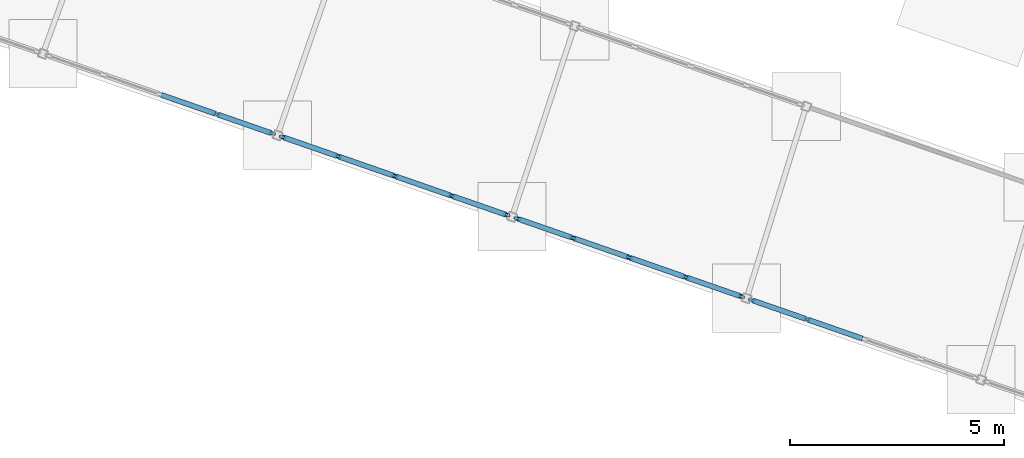
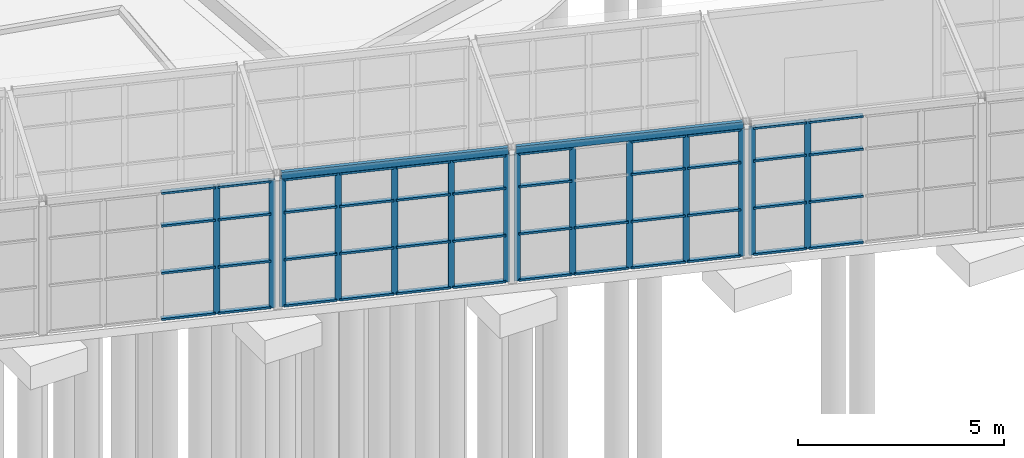
# One storey, part 51 of 226: 60 members, 2 beams, 4 elements without a shape of their own.
"""IFC4 building model written with IfcOpenShell, lengths in metres."""

from ifc_helpers import new_model, si_unit, direction, frame, origin, origin_2d, place, context, subcontext, project, spatial, rectangle, hollow_rectangle, extrude, material, material_profile, profile_set, type_object, element, aggregate, save


model = new_model("IFC4")

# Units and contexts
model_context = context("Model", 3, precision=1e-05, world=origin(), true_north=direction((0.0, 1.0)))
body_context = subcontext(model_context, "Body", "Model", "MODEL_VIEW")
ifc_project = project(units=[si_unit("LENGTHUNIT", "METRE"), si_unit("AREAUNIT", "SQUARE_METRE"), si_unit("VOLUMEUNIT", "CUBIC_METRE"), si_unit("PLANEANGLEUNIT", "RADIAN"), si_unit("MASSUNIT", "GRAM", prefix="KILO")], contexts=[model_context])

# Site, building, storey
site_placement = place(None, origin())
site = spatial("IfcSite", under=ifc_project, at=site_placement, CompositionType="ELEMENT")
building_placement = place(site_placement, origin())
building = spatial("IfcBuilding", under=site, at=building_placement, Name="Ceibo Conservatory and Research Tower", CompositionType="ELEMENT")
storey_placement = place(building_placement, origin())
storey = spatial("IfcBuildingStorey", under=building, at=storey_placement, Name="L00", CompositionType="ELEMENT", Elevation=0.0)

# Curtain wall, members
ifc_material_1 = material(Name="Aluminium and glass", Category="aluminium")
curtain_wall_type = type_object("IfcCurtainWallType", Name="Gallery curtain wall", PredefinedType="NOTDEFINED", material=ifc_material_1)
curtain_wall_1_placement = place(storey_placement, origin())
curtain_wall_1 = element("IfcCurtainWall", 1, at=curtain_wall_1_placement, inside=storey, type_object=curtain_wall_type, Name="Gallery curtain wall AUD-VC-CWS05", PredefinedType="NOTDEFINED")
ifc_material_2 = material(Name="Aluminium", Category="aluminium")
ifc_material_profile_1 = material_profile(ifc_material_2, rectangle(XDim=0.06005859375, YDim=0.159912109375, at=origin_2d()), Name="AL 60x160")
ifc_profile_set_1 = profile_set([ifc_material_profile_1], Name="Aluminium")
member_type_1 = type_object("IfcMemberType", Name="Gallery mullion 60x160", PredefinedType="MULLION", material=ifc_profile_set_1)
member_1_placement = place(storey_placement, frame((90.76806640625, 56.63623046875, 0.0), z_axis=(0.0, 0.0, 1.0), x_axis=(0.328283515513, 0.944579236191, 0.0)))
member_1 = element("IfcMember", 2, at=member_1_placement, type_object=member_type_1, Name="AUD-VC-CWS05 mullion 4", PredefinedType="MULLION", context=body_context, shape_type="SweptSolid", body=[
    extrude(rectangle(XDim=0.06005859375, YDim=0.159912109375, at=origin_2d()), origin(), (0.0, 0.0, 1.0), 3.800048828125),
])
member_2_placement = place(storey_placement, frame((92.064697265625, 56.185791015625, 0.0), z_axis=(0.0, 0.0, 1.0), x_axis=(0.328283515513, 0.944579236191, 0.0)))
member_2 = element("IfcMember", 3, at=member_2_placement, type_object=member_type_1, Name="AUD-VC-CWS05 mullion 5", PredefinedType="MULLION", context=body_context, shape_type="SweptSolid", body=[
    extrude(rectangle(XDim=0.06005859375, YDim=0.159912109375, at=origin_2d()), origin(), (0.0, 0.0, 1.0), 3.800048828125),
])

curtain_wall_2_placement = place(storey_placement, origin())
curtain_wall_2 = element("IfcCurtainWall", 4, at=curtain_wall_2_placement, inside=storey, type_object=curtain_wall_type, Name="Gallery curtain wall AUD-VC-CWS06", PredefinedType="NOTDEFINED")
member_3_placement = place(storey_placement, frame((92.310302734375, 56.100341796875, 0.0), z_axis=(0.0, 0.0, 1.0), x_axis=(0.328283515513, 0.944579236191, 0.0)))
member_3 = element("IfcMember", 5, at=member_3_placement, type_object=member_type_1, Name="AUD-VC-CWS06 mullion 1", PredefinedType="MULLION", context=body_context, shape_type="SweptSolid", body=[
    extrude(rectangle(XDim=0.06005859375, YDim=0.159912109375, at=origin_2d()), origin(), (0.0, 0.0, 1.0), 3.800048828125),
])
member_4_placement = place(storey_placement, frame((93.606689453125, 55.649658203125, 0.0), z_axis=(0.0, 0.0, 1.0), x_axis=(0.328283515513, 0.944579236191, 0.0)))
member_4 = element("IfcMember", 6, at=member_4_placement, type_object=member_type_1, Name="AUD-VC-CWS06 mullion 2", PredefinedType="MULLION", context=body_context, shape_type="SweptSolid", body=[
    extrude(rectangle(XDim=0.06005859375, YDim=0.159912109375, at=origin_2d()), origin(), (0.0, 0.0, 1.0), 3.800048828125),
])
member_5_placement = place(storey_placement, frame((94.931640625, 55.189208984375, 0.0), z_axis=(0.0, 0.0, 1.0), x_axis=(0.328283515513, 0.944579236191, 0.0)))
member_5 = element("IfcMember", 7, at=member_5_placement, type_object=member_type_1, Name="AUD-VC-CWS06 mullion 3", PredefinedType="MULLION", context=body_context, shape_type="SweptSolid", body=[
    extrude(rectangle(XDim=0.06005859375, YDim=0.159912109375, at=origin_2d()), origin(), (0.0, 0.0, 1.0), 3.800048828125),
])
member_6_placement = place(storey_placement, frame((96.25634765625, 54.728759765625, 0.0), z_axis=(0.0, 0.0, 1.0), x_axis=(0.328283515513, 0.944579236191, 0.0)))
member_6 = element("IfcMember", 8, at=member_6_placement, type_object=member_type_1, Name="AUD-VC-CWS06 mullion 4", PredefinedType="MULLION", context=body_context, shape_type="SweptSolid", body=[
    extrude(rectangle(XDim=0.06005859375, YDim=0.159912109375, at=origin_2d()), origin(), (0.0, 0.0, 1.0), 3.800048828125),
])
member_7_placement = place(storey_placement, frame((97.552978515625, 54.2783203125, 0.0), z_axis=(0.0, 0.0, 1.0), x_axis=(0.328283515513, 0.944579236191, 0.0)))
member_7 = element("IfcMember", 9, at=member_7_placement, type_object=member_type_1, Name="AUD-VC-CWS06 mullion 5", PredefinedType="MULLION", context=body_context, shape_type="SweptSolid", body=[
    extrude(rectangle(XDim=0.06005859375, YDim=0.159912109375, at=origin_2d()), origin(), (0.0, 0.0, 1.0), 3.800048828125),
])

curtain_wall_3_placement = place(storey_placement, origin())
curtain_wall_3 = element("IfcCurtainWall", 10, at=curtain_wall_3_placement, inside=storey, type_object=curtain_wall_type, Name="Gallery curtain wall AUD-VC-CWS07", PredefinedType="NOTDEFINED")
member_8_placement = place(storey_placement, frame((97.798583984375, 54.19287109375, 0.0), z_axis=(0.0, 0.0, 1.0), x_axis=(0.328283515513, 0.944579236191, 0.0)))
member_8 = element("IfcMember", 11, at=member_8_placement, type_object=member_type_1, Name="AUD-VC-CWS07 mullion 1", PredefinedType="MULLION", context=body_context, shape_type="SweptSolid", body=[
    extrude(rectangle(XDim=0.06005859375, YDim=0.159912109375, at=origin_2d()), origin(), (0.0, 0.0, 1.0), 3.800048828125),
])
member_9_placement = place(storey_placement, frame((99.094970703125, 53.742431640625, 0.0), z_axis=(0.0, 0.0, 1.0), x_axis=(0.328283515513, 0.944579236191, 0.0)))
member_9 = element("IfcMember", 12, at=member_9_placement, type_object=member_type_1, Name="AUD-VC-CWS07 mullion 2", PredefinedType="MULLION", context=body_context, shape_type="SweptSolid", body=[
    extrude(rectangle(XDim=0.06005859375, YDim=0.159912109375, at=origin_2d()), origin(), (0.0, 0.0, 1.0), 3.800048828125),
])
member_10_placement = place(storey_placement, frame((100.419921875, 53.281982421875, 0.0), z_axis=(0.0, 0.0, 1.0), x_axis=(0.328283515513, 0.944579236191, 0.0)))
member_10 = element("IfcMember", 13, at=member_10_placement, type_object=member_type_1, Name="AUD-VC-CWS07 mullion 3", PredefinedType="MULLION", context=body_context, shape_type="SweptSolid", body=[
    extrude(rectangle(XDim=0.06005859375, YDim=0.159912109375, at=origin_2d()), origin(), (0.0, 0.0, 1.0), 3.800048828125),
])
member_11_placement = place(storey_placement, frame((101.74462890625, 52.821533203125, 0.0), z_axis=(0.0, 0.0, 1.0), x_axis=(0.328283515513, 0.944579236191, 0.0)))
member_11 = element("IfcMember", 14, at=member_11_placement, type_object=member_type_1, Name="AUD-VC-CWS07 mullion 4", PredefinedType="MULLION", context=body_context, shape_type="SweptSolid", body=[
    extrude(rectangle(XDim=0.06005859375, YDim=0.159912109375, at=origin_2d()), origin(), (0.0, 0.0, 1.0), 3.800048828125),
])
member_12_placement = place(storey_placement, frame((103.041259765625, 52.370849609375, 0.0), z_axis=(0.0, 0.0, 1.0), x_axis=(0.328283515513, 0.944579236191, 0.0)))
member_12 = element("IfcMember", 15, at=member_12_placement, type_object=member_type_1, Name="AUD-VC-CWS07 mullion 5", PredefinedType="MULLION", context=body_context, shape_type="SweptSolid", body=[
    extrude(rectangle(XDim=0.06005859375, YDim=0.159912109375, at=origin_2d()), origin(), (0.0, 0.0, 1.0), 3.800048828125),
])

curtain_wall_4_placement = place(storey_placement, origin())
curtain_wall_4 = element("IfcCurtainWall", 16, at=curtain_wall_4_placement, inside=storey, type_object=curtain_wall_type, Name="Gallery curtain wall AUD-VC-CWS08", PredefinedType="NOTDEFINED")
member_13_placement = place(storey_placement, frame((103.286865234375, 52.285400390625, 0.0), z_axis=(0.0, 0.0, 1.0), x_axis=(0.328283515513, 0.944579236191, 0.0)))
member_13 = element("IfcMember", 17, at=member_13_placement, type_object=member_type_1, Name="AUD-VC-CWS08 mullion 1", PredefinedType="MULLION", context=body_context, shape_type="SweptSolid", body=[
    extrude(rectangle(XDim=0.06005859375, YDim=0.159912109375, at=origin_2d()), origin(), (0.0, 0.0, 1.0), 3.800048828125),
])
member_14_placement = place(storey_placement, frame((104.583251953125, 51.8349609375, 0.0), z_axis=(0.0, 0.0, 1.0), x_axis=(0.328283515513, 0.944579236191, 0.0)))
member_14 = element("IfcMember", 18, at=member_14_placement, type_object=member_type_1, Name="AUD-VC-CWS08 mullion 2", PredefinedType="MULLION", context=body_context, shape_type="SweptSolid", body=[
    extrude(rectangle(XDim=0.06005859375, YDim=0.159912109375, at=origin_2d()), origin(), (0.0, 0.0, 1.0), 3.800048828125),
])

# Member
ifc_material_profile_2 = material_profile(ifc_material_2, rectangle(XDim=0.1201171875, YDim=0.06005859375, at=origin_2d()), Name="AL 60x120")
ifc_profile_set_2 = profile_set([ifc_material_profile_2], Name="Aluminium")
member_type_2 = type_object("IfcMemberType", Name="Gallery transom 60x120", PredefinedType="USERDEFINED", material=ifc_profile_set_2)
member_15_placement = place(storey_placement, frame((89.4716796875, 57.0869140625, 0.030029296875), z_axis=(0.944587537953, -0.328259627648, 0.0), x_axis=(0.328259627648, 0.944587537953, 0.0)))
member_15 = element("IfcMember", 19, at=member_15_placement, type_object=member_type_2, Name="AUD-VC-CWS05 transom 3.1", ObjectType="TRANSOM", PredefinedType="USERDEFINED", context=body_context, shape_type="SweptSolid", body=[
    extrude(rectangle(XDim=0.1201171875, YDim=0.06005859375, at=origin_2d()), origin(), (0.0, 0.0, 1.0), 1.342529296875),
])

member_16_placement = place(storey_placement, frame((89.4716796875, 57.0869140625, 1.39990234375), z_axis=(0.944587537953, -0.328259627648, 0.0), x_axis=(0.328259627648, 0.944587537953, 0.0)))
member_16 = element("IfcMember", 20, at=member_16_placement, type_object=member_type_2, Name="AUD-VC-CWS05 transom 3.2", ObjectType="TRANSOM", PredefinedType="USERDEFINED", context=body_context, shape_type="SweptSolid", body=[
    extrude(rectangle(XDim=0.1201171875, YDim=0.06005859375, at=origin_2d()), origin(), (0.0, 0.0, 1.0), 1.342529296875),
])

member_17_placement = place(storey_placement, frame((89.4716796875, 57.0869140625, 2.800048828125), z_axis=(0.944587537953, -0.328259627648, 0.0), x_axis=(0.328259627648, 0.944587537953, 0.0)))
member_17 = element("IfcMember", 21, at=member_17_placement, type_object=member_type_2, Name="AUD-VC-CWS05 transom 3.3", ObjectType="TRANSOM", PredefinedType="USERDEFINED", context=body_context, shape_type="SweptSolid", body=[
    extrude(rectangle(XDim=0.1201171875, YDim=0.06005859375, at=origin_2d()), origin(), (0.0, 0.0, 1.0), 1.342529296875),
])

member_18_placement = place(storey_placement, frame((89.4716796875, 57.0869140625, 3.77001953125), z_axis=(0.944587537953, -0.328259627648, 0.0), x_axis=(0.328259627648, 0.944587537953, 0.0)))
member_18 = element("IfcMember", 22, at=member_18_placement, type_object=member_type_2, Name="AUD-VC-CWS05 transom 3.4", ObjectType="TRANSOM", PredefinedType="USERDEFINED", context=body_context, shape_type="SweptSolid", body=[
    extrude(rectangle(XDim=0.1201171875, YDim=0.06005859375, at=origin_2d()), origin(), (0.0, 0.0, 1.0), 1.342529296875),
])

member_19_placement = place(storey_placement, frame((90.79638671875, 56.62646484375, 0.030029296875), z_axis=(0.944589591906, -0.328253717211, 0.0), x_axis=(0.328253717211, 0.944589591906, 0.0)))
member_19 = element("IfcMember", 23, at=member_19_placement, type_object=member_type_2, Name="AUD-VC-CWS05 transom 4.1", ObjectType="TRANSOM", PredefinedType="USERDEFINED", context=body_context, shape_type="SweptSolid", body=[
    extrude(rectangle(XDim=0.1201171875, YDim=0.06005859375, at=origin_2d()), origin(), (0.0, 0.0, 1.0), 1.312744140625),
])

member_20_placement = place(storey_placement, frame((90.79638671875, 56.62646484375, 1.39990234375), z_axis=(0.944589591906, -0.328253717211, 0.0), x_axis=(0.328253717211, 0.944589591906, 0.0)))
member_20 = element("IfcMember", 24, at=member_20_placement, type_object=member_type_2, Name="AUD-VC-CWS05 transom 4.2", ObjectType="TRANSOM", PredefinedType="USERDEFINED", context=body_context, shape_type="SweptSolid", body=[
    extrude(rectangle(XDim=0.1201171875, YDim=0.06005859375, at=origin_2d()), origin(), (0.0, 0.0, 1.0), 1.312744140625),
])

member_21_placement = place(storey_placement, frame((90.79638671875, 56.62646484375, 2.800048828125), z_axis=(0.944589591906, -0.328253717211, 0.0), x_axis=(0.328253717211, 0.944589591906, 0.0)))
member_21 = element("IfcMember", 25, at=member_21_placement, type_object=member_type_2, Name="AUD-VC-CWS05 transom 4.3", ObjectType="TRANSOM", PredefinedType="USERDEFINED", context=body_context, shape_type="SweptSolid", body=[
    extrude(rectangle(XDim=0.1201171875, YDim=0.06005859375, at=origin_2d()), origin(), (0.0, 0.0, 1.0), 1.312744140625),
])

member_22_placement = place(storey_placement, frame((90.79638671875, 56.62646484375, 3.77001953125), z_axis=(0.944589591906, -0.328253717211, 0.0), x_axis=(0.328253717211, 0.944589591906, 0.0)))
member_22 = element("IfcMember", 26, at=member_22_placement, type_object=member_type_2, Name="AUD-VC-CWS05 transom 4.4", ObjectType="TRANSOM", PredefinedType="USERDEFINED", context=body_context, shape_type="SweptSolid", body=[
    extrude(rectangle(XDim=0.1201171875, YDim=0.06005859375, at=origin_2d()), origin(), (0.0, 0.0, 1.0), 1.312744140625),
])

aggregate(curtain_wall_1, [member_1, member_2, member_15, member_16, member_17, member_18, member_19, member_20, member_21, member_22])

member_23_placement = place(storey_placement, frame((92.338623046875, 56.090576171875, 0.030029296875), z_axis=(0.944569547246, -0.328311392455, 0.0), x_axis=(0.328311392455, 0.944569547246, 0.0)))
member_23 = element("IfcMember", 27, at=member_23_placement, type_object=member_type_2, Name="AUD-VC-CWS06 transom 1.1", ObjectType="TRANSOM", PredefinedType="USERDEFINED", context=body_context, shape_type="SweptSolid", body=[
    extrude(rectangle(XDim=0.1201171875, YDim=0.06005859375, at=origin_2d()), origin(), (0.0, 0.0, 1.0), 1.3125),
])

member_24_placement = place(storey_placement, frame((92.338623046875, 56.090576171875, 1.39990234375), z_axis=(0.944569547246, -0.328311392455, 0.0), x_axis=(0.328311392455, 0.944569547246, 0.0)))
member_24 = element("IfcMember", 28, at=member_24_placement, type_object=member_type_2, Name="AUD-VC-CWS06 transom 1.2", ObjectType="TRANSOM", PredefinedType="USERDEFINED", context=body_context, shape_type="SweptSolid", body=[
    extrude(rectangle(XDim=0.1201171875, YDim=0.06005859375, at=origin_2d()), origin(), (0.0, 0.0, 1.0), 1.3125),
])

member_25_placement = place(storey_placement, frame((92.338623046875, 56.090576171875, 2.800048828125), z_axis=(0.944569547246, -0.328311392455, 0.0), x_axis=(0.328311392455, 0.944569547246, 0.0)))
member_25 = element("IfcMember", 29, at=member_25_placement, type_object=member_type_2, Name="AUD-VC-CWS06 transom 1.3", ObjectType="TRANSOM", PredefinedType="USERDEFINED", context=body_context, shape_type="SweptSolid", body=[
    extrude(rectangle(XDim=0.1201171875, YDim=0.06005859375, at=origin_2d()), origin(), (0.0, 0.0, 1.0), 1.3125),
])

member_26_placement = place(storey_placement, frame((92.338623046875, 56.090576171875, 3.77001953125), z_axis=(0.944569547246, -0.328311392455, 0.0), x_axis=(0.328311392455, 0.944569547246, 0.0)))
member_26 = element("IfcMember", 30, at=member_26_placement, type_object=member_type_2, Name="AUD-VC-CWS06 transom 1.4", ObjectType="TRANSOM", PredefinedType="USERDEFINED", context=body_context, shape_type="SweptSolid", body=[
    extrude(rectangle(XDim=0.1201171875, YDim=0.06005859375, at=origin_2d()), origin(), (0.0, 0.0, 1.0), 1.3125),
])

member_27_placement = place(storey_placement, frame((93.635009765625, 55.639892578125, 0.030029296875), z_axis=(0.944607129256, -0.328203247027, 0.0), x_axis=(0.328203247027, 0.944607129256, 0.0)))
member_27 = element("IfcMember", 31, at=member_27_placement, type_object=member_type_2, Name="AUD-VC-CWS06 transom 2.1", ObjectType="TRANSOM", PredefinedType="USERDEFINED", context=body_context, shape_type="SweptSolid", body=[
    extrude(rectangle(XDim=0.1201171875, YDim=0.06005859375, at=origin_2d()), origin(), (0.0, 0.0, 1.0), 1.3427734375),
])

member_28_placement = place(storey_placement, frame((93.635009765625, 55.639892578125, 1.39990234375), z_axis=(0.944607129256, -0.328203247027, 0.0), x_axis=(0.328203247027, 0.944607129256, 0.0)))
member_28 = element("IfcMember", 32, at=member_28_placement, type_object=member_type_2, Name="AUD-VC-CWS06 transom 2.2", ObjectType="TRANSOM", PredefinedType="USERDEFINED", context=body_context, shape_type="SweptSolid", body=[
    extrude(rectangle(XDim=0.1201171875, YDim=0.06005859375, at=origin_2d()), origin(), (0.0, 0.0, 1.0), 1.3427734375),
])

member_29_placement = place(storey_placement, frame((93.635009765625, 55.639892578125, 2.800048828125), z_axis=(0.944607129256, -0.328203247027, 0.0), x_axis=(0.328203247027, 0.944607129256, 0.0)))
member_29 = element("IfcMember", 33, at=member_29_placement, type_object=member_type_2, Name="AUD-VC-CWS06 transom 2.3", ObjectType="TRANSOM", PredefinedType="USERDEFINED", context=body_context, shape_type="SweptSolid", body=[
    extrude(rectangle(XDim=0.1201171875, YDim=0.06005859375, at=origin_2d()), origin(), (0.0, 0.0, 1.0), 1.3427734375),
])

member_30_placement = place(storey_placement, frame((93.635009765625, 55.639892578125, 3.77001953125), z_axis=(0.944607129256, -0.328203247027, 0.0), x_axis=(0.328203247027, 0.944607129256, 0.0)))
member_30 = element("IfcMember", 34, at=member_30_placement, type_object=member_type_2, Name="AUD-VC-CWS06 transom 2.4", ObjectType="TRANSOM", PredefinedType="USERDEFINED", context=body_context, shape_type="SweptSolid", body=[
    extrude(rectangle(XDim=0.1201171875, YDim=0.06005859375, at=origin_2d()), origin(), (0.0, 0.0, 1.0), 1.3427734375),
])

member_31_placement = place(storey_placement, frame((94.9599609375, 55.179443359375, 0.030029296875), z_axis=(0.944587537953, -0.328259627648, 0.0), x_axis=(0.328259627648, 0.944587537953, 0.0)))
member_31 = element("IfcMember", 35, at=member_31_placement, type_object=member_type_2, Name="AUD-VC-CWS06 transom 3.1", ObjectType="TRANSOM", PredefinedType="USERDEFINED", context=body_context, shape_type="SweptSolid", body=[
    extrude(rectangle(XDim=0.1201171875, YDim=0.06005859375, at=origin_2d()), origin(), (0.0, 0.0, 1.0), 1.342529296875),
])

member_32_placement = place(storey_placement, frame((94.9599609375, 55.179443359375, 1.39990234375), z_axis=(0.944587537953, -0.328259627648, 0.0), x_axis=(0.328259627648, 0.944587537953, 0.0)))
member_32 = element("IfcMember", 36, at=member_32_placement, type_object=member_type_2, Name="AUD-VC-CWS06 transom 3.2", ObjectType="TRANSOM", PredefinedType="USERDEFINED", context=body_context, shape_type="SweptSolid", body=[
    extrude(rectangle(XDim=0.1201171875, YDim=0.06005859375, at=origin_2d()), origin(), (0.0, 0.0, 1.0), 1.342529296875),
])

member_33_placement = place(storey_placement, frame((94.9599609375, 55.179443359375, 2.800048828125), z_axis=(0.944587537953, -0.328259627648, 0.0), x_axis=(0.328259627648, 0.944587537953, 0.0)))
member_33 = element("IfcMember", 37, at=member_33_placement, type_object=member_type_2, Name="AUD-VC-CWS06 transom 3.3", ObjectType="TRANSOM", PredefinedType="USERDEFINED", context=body_context, shape_type="SweptSolid", body=[
    extrude(rectangle(XDim=0.1201171875, YDim=0.06005859375, at=origin_2d()), origin(), (0.0, 0.0, 1.0), 1.342529296875),
])

member_34_placement = place(storey_placement, frame((94.9599609375, 55.179443359375, 3.77001953125), z_axis=(0.944587537953, -0.328259627648, 0.0), x_axis=(0.328259627648, 0.944587537953, 0.0)))
member_34 = element("IfcMember", 38, at=member_34_placement, type_object=member_type_2, Name="AUD-VC-CWS06 transom 3.4", ObjectType="TRANSOM", PredefinedType="USERDEFINED", context=body_context, shape_type="SweptSolid", body=[
    extrude(rectangle(XDim=0.1201171875, YDim=0.06005859375, at=origin_2d()), origin(), (0.0, 0.0, 1.0), 1.342529296875),
])

member_35_placement = place(storey_placement, frame((96.28466796875, 54.718994140625, 0.030029296875), z_axis=(0.944589591906, -0.328253717211, 0.0), x_axis=(0.328253717211, 0.944589591906, 0.0)))
member_35 = element("IfcMember", 39, at=member_35_placement, type_object=member_type_2, Name="AUD-VC-CWS06 transom 4.1", ObjectType="TRANSOM", PredefinedType="USERDEFINED", context=body_context, shape_type="SweptSolid", body=[
    extrude(rectangle(XDim=0.1201171875, YDim=0.06005859375, at=origin_2d()), origin(), (0.0, 0.0, 1.0), 1.312744140625),
])

member_36_placement = place(storey_placement, frame((96.28466796875, 54.718994140625, 1.39990234375), z_axis=(0.944589591906, -0.328253717211, 0.0), x_axis=(0.328253717211, 0.944589591906, 0.0)))
member_36 = element("IfcMember", 40, at=member_36_placement, type_object=member_type_2, Name="AUD-VC-CWS06 transom 4.2", ObjectType="TRANSOM", PredefinedType="USERDEFINED", context=body_context, shape_type="SweptSolid", body=[
    extrude(rectangle(XDim=0.1201171875, YDim=0.06005859375, at=origin_2d()), origin(), (0.0, 0.0, 1.0), 1.312744140625),
])

member_37_placement = place(storey_placement, frame((96.28466796875, 54.718994140625, 2.800048828125), z_axis=(0.944589591906, -0.328253717211, 0.0), x_axis=(0.328253717211, 0.944589591906, 0.0)))
member_37 = element("IfcMember", 41, at=member_37_placement, type_object=member_type_2, Name="AUD-VC-CWS06 transom 4.3", ObjectType="TRANSOM", PredefinedType="USERDEFINED", context=body_context, shape_type="SweptSolid", body=[
    extrude(rectangle(XDim=0.1201171875, YDim=0.06005859375, at=origin_2d()), origin(), (0.0, 0.0, 1.0), 1.312744140625),
])

member_38_placement = place(storey_placement, frame((96.28466796875, 54.718994140625, 3.77001953125), z_axis=(0.944589591906, -0.328253717211, 0.0), x_axis=(0.328253717211, 0.944589591906, 0.0)))
member_38 = element("IfcMember", 42, at=member_38_placement, type_object=member_type_2, Name="AUD-VC-CWS06 transom 4.4", ObjectType="TRANSOM", PredefinedType="USERDEFINED", context=body_context, shape_type="SweptSolid", body=[
    extrude(rectangle(XDim=0.1201171875, YDim=0.06005859375, at=origin_2d()), origin(), (0.0, 0.0, 1.0), 1.312744140625),
])

aggregate(curtain_wall_2, [member_3, member_4, member_5, member_6, member_7, member_23, member_24, member_25, member_26, member_27, member_28, member_29, member_30, member_31, member_32, member_33, member_34, member_35, member_36, member_37, member_38])

member_39_placement = place(storey_placement, frame((97.826904296875, 54.18310546875, 0.030029296875), z_axis=(0.944569547246, -0.328311392455, 0.0), x_axis=(0.328311392455, 0.944569547246, 0.0)))
member_39 = element("IfcMember", 43, at=member_39_placement, type_object=member_type_2, Name="AUD-VC-CWS07 transom 1.1", ObjectType="TRANSOM", PredefinedType="USERDEFINED", context=body_context, shape_type="SweptSolid", body=[
    extrude(rectangle(XDim=0.1201171875, YDim=0.06005859375, at=origin_2d()), origin(), (0.0, 0.0, 1.0), 1.3125),
])

member_40_placement = place(storey_placement, frame((97.826904296875, 54.18310546875, 1.39990234375), z_axis=(0.944569547246, -0.328311392455, 0.0), x_axis=(0.328311392455, 0.944569547246, 0.0)))
member_40 = element("IfcMember", 44, at=member_40_placement, type_object=member_type_2, Name="AUD-VC-CWS07 transom 1.2", ObjectType="TRANSOM", PredefinedType="USERDEFINED", context=body_context, shape_type="SweptSolid", body=[
    extrude(rectangle(XDim=0.1201171875, YDim=0.06005859375, at=origin_2d()), origin(), (0.0, 0.0, 1.0), 1.3125),
])

member_41_placement = place(storey_placement, frame((97.826904296875, 54.18310546875, 2.800048828125), z_axis=(0.944569547246, -0.328311392455, 0.0), x_axis=(0.328311392455, 0.944569547246, 0.0)))
member_41 = element("IfcMember", 45, at=member_41_placement, type_object=member_type_2, Name="AUD-VC-CWS07 transom 1.3", ObjectType="TRANSOM", PredefinedType="USERDEFINED", context=body_context, shape_type="SweptSolid", body=[
    extrude(rectangle(XDim=0.1201171875, YDim=0.06005859375, at=origin_2d()), origin(), (0.0, 0.0, 1.0), 1.3125),
])

member_42_placement = place(storey_placement, frame((97.826904296875, 54.18310546875, 3.77001953125), z_axis=(0.944569547246, -0.328311392455, 0.0), x_axis=(0.328311392455, 0.944569547246, 0.0)))
member_42 = element("IfcMember", 46, at=member_42_placement, type_object=member_type_2, Name="AUD-VC-CWS07 transom 1.4", ObjectType="TRANSOM", PredefinedType="USERDEFINED", context=body_context, shape_type="SweptSolid", body=[
    extrude(rectangle(XDim=0.1201171875, YDim=0.06005859375, at=origin_2d()), origin(), (0.0, 0.0, 1.0), 1.3125),
])

member_43_placement = place(storey_placement, frame((99.123291015625, 53.732421875, 0.030029296875), z_axis=(0.944607129256, -0.328203247027, 0.0), x_axis=(0.328203247027, 0.944607129256, 0.0)))
member_43 = element("IfcMember", 47, at=member_43_placement, type_object=member_type_2, Name="AUD-VC-CWS07 transom 2.1", ObjectType="TRANSOM", PredefinedType="USERDEFINED", context=body_context, shape_type="SweptSolid", body=[
    extrude(rectangle(XDim=0.1201171875, YDim=0.06005859375, at=origin_2d()), origin(), (0.0, 0.0, 1.0), 1.3427734375),
])

member_44_placement = place(storey_placement, frame((99.123291015625, 53.732421875, 1.39990234375), z_axis=(0.944607129256, -0.328203247027, 0.0), x_axis=(0.328203247027, 0.944607129256, 0.0)))
member_44 = element("IfcMember", 48, at=member_44_placement, type_object=member_type_2, Name="AUD-VC-CWS07 transom 2.2", ObjectType="TRANSOM", PredefinedType="USERDEFINED", context=body_context, shape_type="SweptSolid", body=[
    extrude(rectangle(XDim=0.1201171875, YDim=0.06005859375, at=origin_2d()), origin(), (0.0, 0.0, 1.0), 1.3427734375),
])

member_45_placement = place(storey_placement, frame((100.4482421875, 53.27197265625, 0.030029296875), z_axis=(0.944587537953, -0.328259627648, 0.0), x_axis=(0.328259627648, 0.944587537953, 0.0)))
member_45 = element("IfcMember", 49, at=member_45_placement, type_object=member_type_2, Name="AUD-VC-CWS07 transom 3.1", ObjectType="TRANSOM", PredefinedType="USERDEFINED", context=body_context, shape_type="SweptSolid", body=[
    extrude(rectangle(XDim=0.1201171875, YDim=0.06005859375, at=origin_2d()), origin(), (0.0, 0.0, 1.0), 1.342529296875),
])

member_46_placement = place(storey_placement, frame((100.4482421875, 53.27197265625, 1.39990234375), z_axis=(0.944587537953, -0.328259627648, 0.0), x_axis=(0.328259627648, 0.944587537953, 0.0)))
member_46 = element("IfcMember", 50, at=member_46_placement, type_object=member_type_2, Name="AUD-VC-CWS07 transom 3.2", ObjectType="TRANSOM", PredefinedType="USERDEFINED", context=body_context, shape_type="SweptSolid", body=[
    extrude(rectangle(XDim=0.1201171875, YDim=0.06005859375, at=origin_2d()), origin(), (0.0, 0.0, 1.0), 1.342529296875),
])

member_47_placement = place(storey_placement, frame((100.4482421875, 53.27197265625, 2.800048828125), z_axis=(0.944587537953, -0.328259627648, 0.0), x_axis=(0.328259627648, 0.944587537953, 0.0)))
member_47 = element("IfcMember", 51, at=member_47_placement, type_object=member_type_2, Name="AUD-VC-CWS07 transom 3.3", ObjectType="TRANSOM", PredefinedType="USERDEFINED", context=body_context, shape_type="SweptSolid", body=[
    extrude(rectangle(XDim=0.1201171875, YDim=0.06005859375, at=origin_2d()), origin(), (0.0, 0.0, 1.0), 1.342529296875),
])

member_48_placement = place(storey_placement, frame((100.4482421875, 53.27197265625, 3.77001953125), z_axis=(0.944587537953, -0.328259627648, 0.0), x_axis=(0.328259627648, 0.944587537953, 0.0)))
member_48 = element("IfcMember", 52, at=member_48_placement, type_object=member_type_2, Name="AUD-VC-CWS07 transom 3.4", ObjectType="TRANSOM", PredefinedType="USERDEFINED", context=body_context, shape_type="SweptSolid", body=[
    extrude(rectangle(XDim=0.1201171875, YDim=0.06005859375, at=origin_2d()), origin(), (0.0, 0.0, 1.0), 1.342529296875),
])

member_49_placement = place(storey_placement, frame((101.773193359375, 52.8115234375, 0.030029296875), z_axis=(0.944569547246, -0.328311392455, 0.0), x_axis=(0.328311392455, 0.944569547246, 0.0)))
member_49 = element("IfcMember", 53, at=member_49_placement, type_object=member_type_2, Name="AUD-VC-CWS07 transom 4.1", ObjectType="TRANSOM", PredefinedType="USERDEFINED", context=body_context, shape_type="SweptSolid", body=[
    extrude(rectangle(XDim=0.1201171875, YDim=0.06005859375, at=origin_2d()), origin(), (0.0, 0.0, 1.0), 1.3125),
])

member_50_placement = place(storey_placement, frame((101.773193359375, 52.8115234375, 1.39990234375), z_axis=(0.944569547246, -0.328311392455, 0.0), x_axis=(0.328311392455, 0.944569547246, 0.0)))
member_50 = element("IfcMember", 54, at=member_50_placement, type_object=member_type_2, Name="AUD-VC-CWS07 transom 4.2", ObjectType="TRANSOM", PredefinedType="USERDEFINED", context=body_context, shape_type="SweptSolid", body=[
    extrude(rectangle(XDim=0.1201171875, YDim=0.06005859375, at=origin_2d()), origin(), (0.0, 0.0, 1.0), 1.3125),
])

member_51_placement = place(storey_placement, frame((101.773193359375, 52.8115234375, 2.800048828125), z_axis=(0.944569547246, -0.328311392455, 0.0), x_axis=(0.328311392455, 0.944569547246, 0.0)))
member_51 = element("IfcMember", 55, at=member_51_placement, type_object=member_type_2, Name="AUD-VC-CWS07 transom 4.3", ObjectType="TRANSOM", PredefinedType="USERDEFINED", context=body_context, shape_type="SweptSolid", body=[
    extrude(rectangle(XDim=0.1201171875, YDim=0.06005859375, at=origin_2d()), origin(), (0.0, 0.0, 1.0), 1.3125),
])

member_52_placement = place(storey_placement, frame((101.773193359375, 52.8115234375, 3.77001953125), z_axis=(0.944569547246, -0.328311392455, 0.0), x_axis=(0.328311392455, 0.944569547246, 0.0)))
member_52 = element("IfcMember", 56, at=member_52_placement, type_object=member_type_2, Name="AUD-VC-CWS07 transom 4.4", ObjectType="TRANSOM", PredefinedType="USERDEFINED", context=body_context, shape_type="SweptSolid", body=[
    extrude(rectangle(XDim=0.1201171875, YDim=0.06005859375, at=origin_2d()), origin(), (0.0, 0.0, 1.0), 1.3125),
])

aggregate(curtain_wall_3, [member_8, member_9, member_10, member_11, member_12, member_39, member_40, member_41, member_42, member_43, member_44, member_45, member_46, member_47, member_48, member_49, member_50, member_51, member_52])

member_53_placement = place(storey_placement, frame((103.315185546875, 52.275634765625, 0.030029296875), z_axis=(0.944569547246, -0.328311392455, 0.0), x_axis=(0.328311392455, 0.944569547246, 0.0)))
member_53 = element("IfcMember", 57, at=member_53_placement, type_object=member_type_2, Name="AUD-VC-CWS08 transom 1.1", ObjectType="TRANSOM", PredefinedType="USERDEFINED", context=body_context, shape_type="SweptSolid", body=[
    extrude(rectangle(XDim=0.1201171875, YDim=0.06005859375, at=origin_2d()), origin(), (0.0, 0.0, 1.0), 1.3125),
])

member_54_placement = place(storey_placement, frame((103.315185546875, 52.275634765625, 1.39990234375), z_axis=(0.944569547246, -0.328311392455, 0.0), x_axis=(0.328311392455, 0.944569547246, 0.0)))
member_54 = element("IfcMember", 58, at=member_54_placement, type_object=member_type_2, Name="AUD-VC-CWS08 transom 1.2", ObjectType="TRANSOM", PredefinedType="USERDEFINED", context=body_context, shape_type="SweptSolid", body=[
    extrude(rectangle(XDim=0.1201171875, YDim=0.06005859375, at=origin_2d()), origin(), (0.0, 0.0, 1.0), 1.3125),
])

member_55_placement = place(storey_placement, frame((103.315185546875, 52.275634765625, 2.800048828125), z_axis=(0.944569547246, -0.328311392455, 0.0), x_axis=(0.328311392455, 0.944569547246, 0.0)))
member_55 = element("IfcMember", 59, at=member_55_placement, type_object=member_type_2, Name="AUD-VC-CWS08 transom 1.3", ObjectType="TRANSOM", PredefinedType="USERDEFINED", context=body_context, shape_type="SweptSolid", body=[
    extrude(rectangle(XDim=0.1201171875, YDim=0.06005859375, at=origin_2d()), origin(), (0.0, 0.0, 1.0), 1.3125),
])

member_56_placement = place(storey_placement, frame((103.315185546875, 52.275634765625, 3.77001953125), z_axis=(0.944569547246, -0.328311392455, 0.0), x_axis=(0.328311392455, 0.944569547246, 0.0)))
member_56 = element("IfcMember", 60, at=member_56_placement, type_object=member_type_2, Name="AUD-VC-CWS08 transom 1.4", ObjectType="TRANSOM", PredefinedType="USERDEFINED", context=body_context, shape_type="SweptSolid", body=[
    extrude(rectangle(XDim=0.1201171875, YDim=0.06005859375, at=origin_2d()), origin(), (0.0, 0.0, 1.0), 1.3125),
])

member_57_placement = place(storey_placement, frame((104.611572265625, 51.824951171875, 0.030029296875), z_axis=(0.944607129256, -0.328203247027, 0.0), x_axis=(0.328203247027, 0.944607129256, 0.0)))
member_57 = element("IfcMember", 61, at=member_57_placement, type_object=member_type_2, Name="AUD-VC-CWS08 transom 2.1", ObjectType="TRANSOM", PredefinedType="USERDEFINED", context=body_context, shape_type="SweptSolid", body=[
    extrude(rectangle(XDim=0.1201171875, YDim=0.06005859375, at=origin_2d()), origin(), (0.0, 0.0, 1.0), 1.3427734375),
])

member_58_placement = place(storey_placement, frame((104.611572265625, 51.824951171875, 1.39990234375), z_axis=(0.944607129256, -0.328203247027, 0.0), x_axis=(0.328203247027, 0.944607129256, 0.0)))
member_58 = element("IfcMember", 62, at=member_58_placement, type_object=member_type_2, Name="AUD-VC-CWS08 transom 2.2", ObjectType="TRANSOM", PredefinedType="USERDEFINED", context=body_context, shape_type="SweptSolid", body=[
    extrude(rectangle(XDim=0.1201171875, YDim=0.06005859375, at=origin_2d()), origin(), (0.0, 0.0, 1.0), 1.3427734375),
])

member_59_placement = place(storey_placement, frame((104.611572265625, 51.824951171875, 2.800048828125), z_axis=(0.944607129256, -0.328203247027, 0.0), x_axis=(0.328203247027, 0.944607129256, 0.0)))
member_59 = element("IfcMember", 63, at=member_59_placement, type_object=member_type_2, Name="AUD-VC-CWS08 transom 2.3", ObjectType="TRANSOM", PredefinedType="USERDEFINED", context=body_context, shape_type="SweptSolid", body=[
    extrude(rectangle(XDim=0.1201171875, YDim=0.06005859375, at=origin_2d()), origin(), (0.0, 0.0, 1.0), 1.3427734375),
])

member_60_placement = place(storey_placement, frame((104.611572265625, 51.824951171875, 3.77001953125), z_axis=(0.944607129256, -0.328203247027, 0.0), x_axis=(0.328203247027, 0.944607129256, 0.0)))
member_60 = element("IfcMember", 64, at=member_60_placement, type_object=member_type_2, Name="AUD-VC-CWS08 transom 2.4", ObjectType="TRANSOM", PredefinedType="USERDEFINED", context=body_context, shape_type="SweptSolid", body=[
    extrude(rectangle(XDim=0.1201171875, YDim=0.06005859375, at=origin_2d()), origin(), (0.0, 0.0, 1.0), 1.3427734375),
])

aggregate(curtain_wall_4, [member_13, member_14, member_53, member_54, member_55, member_56, member_57, member_58, member_59, member_60])

# Beams
ifc_material_3 = material(Name="Steel S355J2H", Category="steel")
ifc_material_profile_3 = material_profile(ifc_material_3, hollow_rectangle(XDim=0.10009765625, YDim=0.199951171875, WallThickness=0.008056640625, at=origin_2d()), Name="RHS 200x100x8 edge beam")
ifc_profile_set_3 = profile_set([ifc_material_profile_3], Name="Steel S355J2H")
beam_type = type_object("IfcBeamType", Name="RHS 200x100x8 edge beam", PredefinedType="BEAM", material=ifc_profile_set_3)
for number, where, z_axis, x_axis, name in (
    (65, (92.277099609375, 56.11181640625, 3.89990234375), (0.944584081142, -0.328269574669, 0.0), (0.328269574669, 0.944584081142, 0.0), "Gallery edge beam AUD-VC-EBS06"),
    (66, (97.765380859375, 54.204345703125, 3.89990234375), (0.944584081142, -0.328269574669, 0.0), (0.328269574669, 0.944584081142, 0.0), "Gallery edge beam AUD-VC-EBS07"),
):
    element("IfcBeam", number, at=place(storey_placement, frame(where, z_axis=z_axis, x_axis=x_axis)), inside=storey, type_object=beam_type, Name=name, PredefinedType="BEAM", context=body_context, shape_type="SweptSolid", body=[
        extrude(hollow_rectangle(XDim=0.10009765625, YDim=0.199951171875, WallThickness=0.008056640625, at=origin_2d()), origin(), (0.0, 0.0, 1.0), 5.620361328125),
    ])

save(model, "model.ifc")
